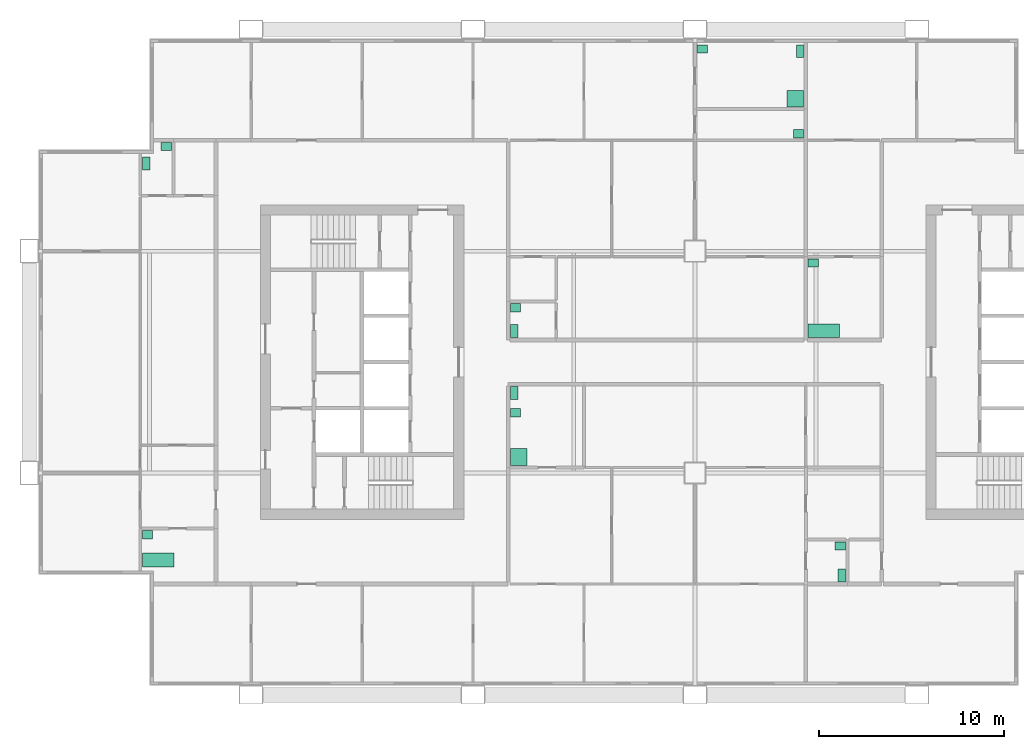
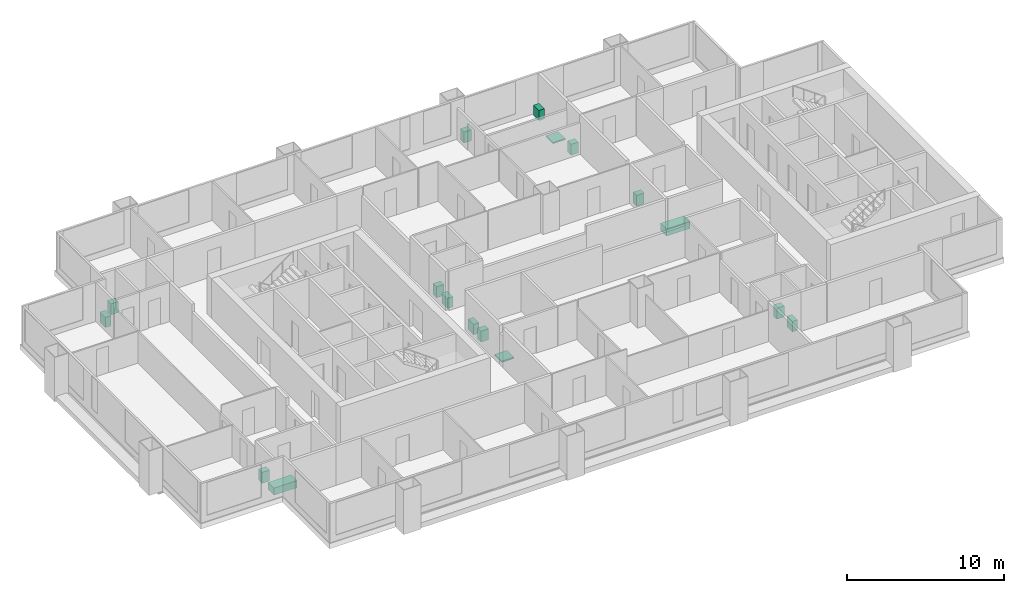
# One storey, part 9 of 9: 17 sanitary terminals.
"""IFC4 building model written with IfcOpenShell, lengths in metres."""

from ifc_helpers import new_model, si_unit, direction, frame, origin, origin_2d, place, context, subcontext, project, spatial, rectangle, extrude, material, type_object, element, save


model = new_model("IFC4")

# Units and contexts
model_context = context("Model", 3, precision=1e-05, world=origin(), true_north=direction((0.0, 1.0)))
body_context = subcontext(model_context, "Body", "Model", "MODEL_VIEW")
ifc_project = project(units=[si_unit("LENGTHUNIT", "METRE"), si_unit("AREAUNIT", "SQUARE_METRE"), si_unit("VOLUMEUNIT", "CUBIC_METRE"), si_unit("PLANEANGLEUNIT", "RADIAN"), si_unit("MASSUNIT", "GRAM", prefix="KILO")], contexts=[model_context])

# Site, building, storey
site_placement = place(None, origin())
site = spatial("IfcSite", under=ifc_project, at=site_placement, CompositionType="ELEMENT")
building_placement = place(site_placement, origin())
building = spatial("IfcBuilding", under=site, at=building_placement, Name="Kitamizu Gate Tower and Museum", CompositionType="ELEMENT")
storey_placement = place(building_placement, frame((0.0, 0.0, 182.39990234375)))
storey = spatial("IfcBuildingStorey", under=building, at=storey_placement, Name="L48", CompositionType="ELEMENT", Elevation=182.39990234375)

# Sanitary terminals
ifc_material_1 = material(Name="Acrylic")
sanitary_terminal_type_1 = type_object("IfcSanitaryTerminalType", Name="Bath", PredefinedType="BATH", material=ifc_material_1)
for number, where, z_axis, x_axis, name in (
    (1, (6.969970703125, 19.294921875, 0.0009765625), (0.0, 0.0, 1.0), (1.0, 0.0, 0.0), "Bath Bathroom 48C"),
    (2, (42.969970703125, 31.695068359375, 0.0009765625), (0.0, 0.0, 1.0), (1.0, 0.0, 0.0), "Bath Bathroom and WC 48D"),
):
    element("IfcSanitaryTerminal", number, at=place(storey_placement, frame(where, z_axis=z_axis, x_axis=x_axis)), inside=storey, type_object=sanitary_terminal_type_1, Name=name, PredefinedType="BATH", context=body_context, shape_type="SweptSolid", body=[
        extrude(rectangle(XDim=1.699951171875, YDim=0.75, at=origin_2d()), origin(), (0.0, 0.0, 1.0), 0.550048828125),
    ])
ifc_material_2 = material(Name="Acrylic")
sanitary_terminal_type_2 = type_object("IfcSanitaryTerminalType", Name="Shower tray", PredefinedType="SHOWER", material=ifc_material_2)
for number, where, z_axis, x_axis, name in (
    (3, (26.469970703125, 24.8701171875, 0.0009765625), (0.0, 0.0, 1.0), (1.0, 0.0, 0.0), "Shower tray En-suite bathroom 48A"),
    (4, (41.429931640625, 44.25, 0.0009765625), (0.0, 0.0, 1.0), (1.0, 0.0, 0.0), "Shower tray En-suite bathroom 48B"),
):
    element("IfcSanitaryTerminal", number, at=place(storey_placement, frame(where, z_axis=z_axis, x_axis=x_axis)), inside=storey, type_object=sanitary_terminal_type_2, Name=name, PredefinedType="SHOWER", context=body_context, shape_type="SweptSolid", body=[
        extrude(rectangle(XDim=0.89990234375, YDim=0.89990234375, at=origin_2d()), origin(), (0.0, 0.0, 1.0), 0.10009765625),
    ])
ifc_material_3 = material(Name="Vitreous china")
sanitary_terminal_type_3 = type_object("IfcSanitaryTerminalType", Name="Wash hand basin", PredefinedType="WASHHANDBASIN", material=ifc_material_3)
for number, where, z_axis, x_axis, name in (
    (5, (26.294921875, 27.2548828125, 0.0009765625), (0.0, 0.0, 1.0), (1.0, 0.0, 0.0), "Wash hand basin En-suite bathroom 48A"),
    (6, (43.85498046875, 20.054931640625, 0.0009765625), (0.0, 0.0, 1.0), (1.0, 0.0, 0.0), "Wash hand basin WC 48A"),
    (7, (36.39501953125, 46.93505859375, 0.0009765625), (0.0, 0.0, 1.0), (1.0, 0.0, 0.0), "Wash hand basin En-suite bathroom 48B"),
    (8, (41.60498046875, 42.344970703125, 0.0009765625), (0.0, 0.0, 1.0), (1.0, 0.0, 0.0), "Wash hand basin Wash room 48B"),
    (9, (26.294921875, 32.931884765625, 0.0009765625), (0.0, 0.0, 1.0), (1.0, 0.0, 0.0), "Wash hand basin WC 48B"),
    (10, (6.39501953125, 20.655029296875, 0.0009765625), (0.0, 0.0, 1.0), (1.0, 0.0, 0.0), "Wash hand basin Bathroom 48C"),
    (11, (7.405029296875, 41.655029296875, 0.0009765625), (0.0, 0.0, 1.0), (1.0, 0.0, 0.0), "Wash hand basin WC 48C"),
    (12, (42.39501953125, 35.35498046875, 0.0009765625), (0.0, 0.0, 1.0), (1.0, 0.0, 0.0), "Wash hand basin Bathroom and WC 48D"),
):
    element("IfcSanitaryTerminal", number, at=place(storey_placement, frame(where, z_axis=z_axis, x_axis=x_axis)), inside=storey, type_object=sanitary_terminal_type_3, Name=name, PredefinedType="WASHHANDBASIN", context=body_context, shape_type="SweptSolid", body=[
        extrude(rectangle(XDim=0.550048828125, YDim=0.449951171875, at=origin_2d()), origin(), (0.0, 0.0, 1.0), 0.85009765625),
    ])
ifc_material_4 = material(Name="Vitreous china")
sanitary_terminal_type_4 = type_object("IfcSanitaryTerminalType", Name="Water closet", PredefinedType="TOILETPAN", material=ifc_material_4)
for number, where, z_axis, x_axis, name in (
    (13, (26.219970703125, 28.330078125, 0.0009765625), (0.0, 0.0, 1.0), (1.0, 0.0, 0.0), "Water closet En-suite bathroom 48A"),
    (14, (43.929931640625, 18.469970703125, 0.0009765625), (0.0, 0.0, 1.0), (1.0, 0.0, 0.0), "Water closet WC 48A"),
    (15, (41.679931640625, 46.81005859375, 0.0009765625), (0.0, 0.0, 1.0), (1.0, 0.0, 0.0), "Water closet En-suite bathroom 48B"),
    (16, (26.219970703125, 31.669921875, 0.0009765625), (0.0, 0.0, 1.0), (1.0, 0.0, 0.0), "Water closet WC 48B"),
    (17, (6.320068359375, 40.72998046875, 0.0009765625), (0.0, 0.0, 1.0), (1.0, 0.0, 0.0), "Water closet WC 48C"),
):
    element("IfcSanitaryTerminal", number, at=place(storey_placement, frame(where, z_axis=z_axis, x_axis=x_axis)), inside=storey, type_object=sanitary_terminal_type_4, Name=name, PredefinedType="TOILETPAN", context=body_context, shape_type="SweptSolid", body=[
        extrude(rectangle(XDim=0.39990234375, YDim=0.699951171875, at=origin_2d()), origin(), (0.0, 0.0, 1.0), 0.800048828125),
    ])

save(model, "model.ifc")
